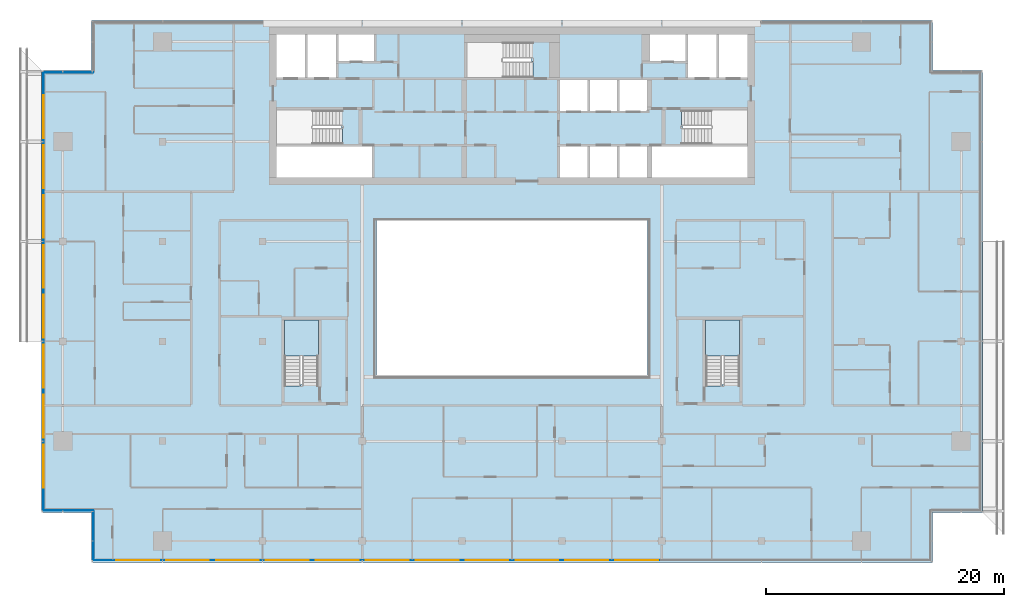
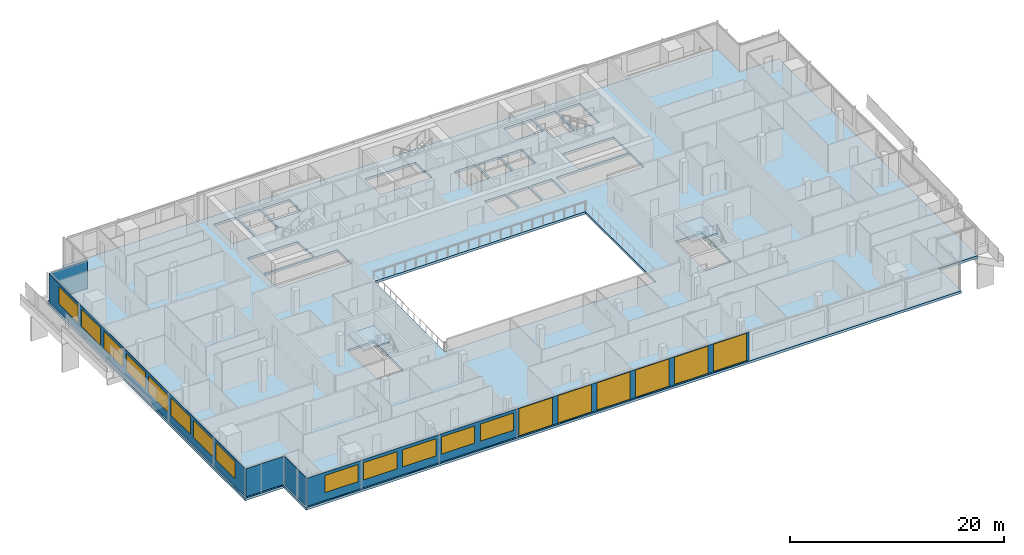
# One storey, part 14 of 28: 19 windows, 6 plates, 3 slabs, 19 openings, 7 elements without a shape of their own.
"""IFC4 building model written with IfcOpenShell, lengths in metres."""

from ifc_helpers import new_model, si_unit, direction, frame, frame_2d, origin, place, context, subcontext, project, spatial, polyline, rectangle, outline, extrude, material, layer, layer_set, type_object, element, fill, aggregate, save


model = new_model("IFC4")

# Units and contexts
model_context = context("Model", 3, precision=1e-05, world=origin(), true_north=direction((0.0, 1.0)))
body_context = subcontext(model_context, "Body", "Model", "MODEL_VIEW")
ifc_project = project(units=[si_unit("LENGTHUNIT", "METRE"), si_unit("AREAUNIT", "SQUARE_METRE"), si_unit("VOLUMEUNIT", "CUBIC_METRE"), si_unit("PLANEANGLEUNIT", "RADIAN"), si_unit("MASSUNIT", "GRAM", prefix="KILO")], contexts=[model_context])

# Site, building, storey
site_placement = place(None, origin())
site = spatial("IfcSite", under=ifc_project, at=site_placement, CompositionType="ELEMENT")
building_placement = place(site_placement, origin())
building = spatial("IfcBuilding", under=site, at=building_placement, Name="Saffron Gate Tower", CompositionType="ELEMENT")
storey_placement = place(building_placement, frame((0.0, 0.0, 241.5)))
storey = spatial("IfcBuildingStorey", under=building, at=storey_placement, Name="L59", CompositionType="ELEMENT", Elevation=241.5)

# Curtain wall, plates, openings, windows
ifc_material_1 = material(Name="Aluminium, bronze anodised", Category="aluminium")
curtain_wall_type_1 = type_object("IfcCurtainWallType", Name="CWS1 curtain wall front facade", PredefinedType="NOTDEFINED", material=ifc_material_1)
curtain_wall_1_placement = place(storey_placement, origin())
curtain_wall_1 = element("IfcCurtainWall", 1, at=curtain_wall_1_placement, inside=storey, type_object=curtain_wall_type_1, Name="CWS1 run 1", PredefinedType="NOTDEFINED")
ifc_material_2 = material(Name="Clear low-iron laminated glass", Category="glass")
ifc_layer_1 = layer(ifc_material_2, 0.028076171875)
ifc_layer_set_1 = layer_set([ifc_layer_1], Name="CWS1 clear glass")
plate_type_1 = type_object("IfcPlateType", Name="CWS1 clear glass", PredefinedType="CURTAIN_PANEL", material=ifc_layer_set_1)
plate_1_placement = place(storey_placement, frame((75.030029296875, 30.174072265625, 0.0), z_axis=(0.0, 0.0, 1.0), x_axis=(1.0, 0.0, 0.0)))
plate_1 = element("IfcPlate", 2, at=plate_1_placement, type_object=plate_type_1, Name="CWS1 clear glass panel", PredefinedType="CURTAIN_PANEL", context=body_context, shape_type="SweptSolid", body=[
    extrude(rectangle(XDim=25.139892578125, YDim=0.028076171875, at=frame_2d((12.56982421875, 0.0))), origin(), (0.0, 0.0, 1.0), 3.199951171875),
])
opening_1_placement = place(plate_1_placement, frame((0.27001953125, 0.0, 0.050048828125)))
opening_1 = element("IfcOpeningElement", 3, at=opening_1_placement, cuts=plate_1, Name="Opening WA", PredefinedType="OPENING", context=body_context, shape_type="SweptSolid", body=[
    extrude(rectangle(XDim=3.60009765625, YDim=3.10009765625, at=frame_2d((1.800048828125, 1.550048828125))), frame((0.0, 0.02392578125, 0.0), z_axis=(0.0, -1.0, 0.0), x_axis=(1.0, 0.0, 0.0)), (0.0, 0.0, 1.0), 0.048095703125),
])
opening_2_placement = place(plate_1_placement, frame((4.469970703125, 0.0, 0.050048828125)))
opening_2 = element("IfcOpeningElement", 4, at=opening_2_placement, cuts=plate_1, Name="Opening WA", PredefinedType="OPENING", context=body_context, shape_type="SweptSolid", body=[
    extrude(rectangle(XDim=3.60009765625, YDim=3.10009765625, at=frame_2d((1.800048828125, 1.550048828125))), frame((0.0, 0.02392578125, 0.0), z_axis=(0.0, -1.0, 0.0), x_axis=(1.0, 0.0, 0.0)), (0.0, 0.0, 1.0), 0.048095703125),
])
opening_3_placement = place(plate_1_placement, frame((8.669921875, 0.0, 0.050048828125)))
opening_3 = element("IfcOpeningElement", 5, at=opening_3_placement, cuts=plate_1, Name="Opening WA", PredefinedType="OPENING", context=body_context, shape_type="SweptSolid", body=[
    extrude(rectangle(XDim=3.60009765625, YDim=3.10009765625, at=frame_2d((1.800048828125, 1.550048828125))), frame((0.0, 0.02392578125, 0.0), z_axis=(0.0, -1.0, 0.0), x_axis=(1.0, 0.0, 0.0)), (0.0, 0.0, 1.0), 0.048095703125),
])
opening_4_placement = place(plate_1_placement, frame((12.8701171875, 0.0, 0.050048828125)))
opening_4 = element("IfcOpeningElement", 6, at=opening_4_placement, cuts=plate_1, Name="Opening WA", PredefinedType="OPENING", context=body_context, shape_type="SweptSolid", body=[
    extrude(rectangle(XDim=3.60009765625, YDim=3.10009765625, at=frame_2d((1.800048828125, 1.550048828125))), frame((0.0, 0.02392578125, 0.0), z_axis=(0.0, -1.0, 0.0), x_axis=(1.0, 0.0, 0.0)), (0.0, 0.0, 1.0), 0.048095703125),
])
opening_5_placement = place(plate_1_placement, frame((17.070068359375, 0.0, 0.050048828125)))
opening_5 = element("IfcOpeningElement", 7, at=opening_5_placement, cuts=plate_1, Name="Opening WA", PredefinedType="OPENING", context=body_context, shape_type="SweptSolid", body=[
    extrude(rectangle(XDim=3.60009765625, YDim=3.10009765625, at=frame_2d((1.800048828125, 1.550048828125))), frame((0.0, 0.02392578125, 0.0), z_axis=(0.0, -1.0, 0.0), x_axis=(1.0, 0.0, 0.0)), (0.0, 0.0, 1.0), 0.048095703125),
])
opening_6_placement = place(plate_1_placement, frame((21.27001953125, 0.0, 0.050048828125)))
opening_6 = element("IfcOpeningElement", 8, at=opening_6_placement, cuts=plate_1, Name="Opening WA", PredefinedType="OPENING", context=body_context, shape_type="SweptSolid", body=[
    extrude(rectangle(XDim=3.60009765625, YDim=3.10009765625, at=frame_2d((1.800048828125, 1.550048828125))), frame((0.0, 0.02392578125, 0.0), z_axis=(0.0, -1.0, 0.0), x_axis=(1.0, 0.0, 0.0)), (0.0, 0.0, 1.0), 0.048095703125),
])
ifc_material_3 = material(Name="Clear low-iron laminated glass in bronze frame", Category="glass")
ifc_layer_2 = layer(ifc_material_3, 0.06005859375)
ifc_layer_set_2 = layer_set([ifc_layer_2], Name="WA operable atrium unit 3600x3100")
window_type_1 = type_object("IfcWindowType", Name="WA operable atrium unit 3600x3100", PartitioningType="DOUBLE_PANEL_HORIZONTAL", PredefinedType="WINDOW", material=ifc_layer_set_2)
window_1_placement = place(opening_1_placement, origin())
window_1 = element("IfcWindow", 9, at=window_1_placement, type_object=window_type_1, Name="WA operable atrium unit", OverallHeight=3.10009765625, OverallWidth=3.60009765625, PartitioningType="SINGLE_PANEL", PredefinedType="WINDOW", context=body_context, shape_type="SweptSolid", body=[
    extrude(rectangle(XDim=3.60009765625, YDim=3.10009765625, at=frame_2d((1.800048828125, 1.550048828125))), frame((0.0, 0.013671875, 0.0), z_axis=(0.0, -1.0, 0.0), x_axis=(1.0, 0.0, 0.0)), (0.0, 0.0, 1.0), 0.027587890625),
])
fill(opening_1, window_1)
window_2_placement = place(opening_2_placement, origin())
window_2 = element("IfcWindow", 10, at=window_2_placement, type_object=window_type_1, Name="WA operable atrium unit", OverallHeight=3.10009765625, OverallWidth=3.60009765625, PartitioningType="SINGLE_PANEL", PredefinedType="WINDOW", context=body_context, shape_type="SweptSolid", body=[
    extrude(rectangle(XDim=3.60009765625, YDim=3.10009765625, at=frame_2d((1.800048828125, 1.550048828125))), frame((0.0, 0.013671875, 0.0), z_axis=(0.0, -1.0, 0.0), x_axis=(1.0, 0.0, 0.0)), (0.0, 0.0, 1.0), 0.027587890625),
])
fill(opening_2, window_2)
window_3_placement = place(opening_3_placement, origin())
window_3 = element("IfcWindow", 11, at=window_3_placement, type_object=window_type_1, Name="WA operable atrium unit", OverallHeight=3.10009765625, OverallWidth=3.60009765625, PartitioningType="SINGLE_PANEL", PredefinedType="WINDOW", context=body_context, shape_type="SweptSolid", body=[
    extrude(rectangle(XDim=3.60009765625, YDim=3.10009765625, at=frame_2d((1.800048828125, 1.550048828125))), frame((0.0, 0.013671875, 0.0), z_axis=(0.0, -1.0, 0.0), x_axis=(1.0, 0.0, 0.0)), (0.0, 0.0, 1.0), 0.027587890625),
])
fill(opening_3, window_3)
window_4_placement = place(opening_4_placement, origin())
window_4 = element("IfcWindow", 12, at=window_4_placement, type_object=window_type_1, Name="WA operable atrium unit", OverallHeight=3.10009765625, OverallWidth=3.60009765625, PartitioningType="SINGLE_PANEL", PredefinedType="WINDOW", context=body_context, shape_type="SweptSolid", body=[
    extrude(rectangle(XDim=3.60009765625, YDim=3.10009765625, at=frame_2d((1.800048828125, 1.550048828125))), frame((0.0, 0.013671875, 0.0), z_axis=(0.0, -1.0, 0.0), x_axis=(1.0, 0.0, 0.0)), (0.0, 0.0, 1.0), 0.027587890625),
])
fill(opening_4, window_4)
window_5_placement = place(opening_5_placement, origin())
window_5 = element("IfcWindow", 13, at=window_5_placement, type_object=window_type_1, Name="WA operable atrium unit", OverallHeight=3.10009765625, OverallWidth=3.60009765625, PartitioningType="SINGLE_PANEL", PredefinedType="WINDOW", context=body_context, shape_type="SweptSolid", body=[
    extrude(rectangle(XDim=3.60009765625, YDim=3.10009765625, at=frame_2d((1.800048828125, 1.550048828125))), frame((0.0, 0.013671875, 0.0), z_axis=(0.0, -1.0, 0.0), x_axis=(1.0, 0.0, 0.0)), (0.0, 0.0, 1.0), 0.027587890625),
])
fill(opening_5, window_5)
window_6_placement = place(opening_6_placement, origin())
window_6 = element("IfcWindow", 14, at=window_6_placement, type_object=window_type_1, Name="WA operable atrium unit", OverallHeight=3.10009765625, OverallWidth=3.60009765625, PartitioningType="SINGLE_PANEL", PredefinedType="WINDOW", context=body_context, shape_type="SweptSolid", body=[
    extrude(rectangle(XDim=3.60009765625, YDim=3.10009765625, at=frame_2d((1.800048828125, 1.550048828125))), frame((0.0, 0.013671875, 0.0), z_axis=(0.0, -1.0, 0.0), x_axis=(1.0, 0.0, 0.0)), (0.0, 0.0, 1.0), 0.027587890625),
])
fill(opening_6, window_6)
ifc_material_4 = material(Name="Fritted bronze-tinted laminated glass", Category="glass")
ifc_layer_3 = layer(ifc_material_4, 0.028076171875)
ifc_layer_set_3 = layer_set([ifc_layer_3], Name="CWS1 fixed glass")
plate_type_2 = type_object("IfcPlateType", Name="CWS1 fixed glass", PredefinedType="CURTAIN_PANEL", material=ifc_layer_set_3)
plate_2_placement = place(storey_placement, frame((52.387939453125, 30.174072265625, 0.0), z_axis=(0.0, 0.0, 1.0), x_axis=(1.0, 0.0, 0.0)))
plate_2 = element("IfcPlate", 15, at=plate_2_placement, type_object=plate_type_2, Name="CWS1 glass panel", PredefinedType="CURTAIN_PANEL", context=body_context, shape_type="SweptSolid", body=[
    extrude(rectangle(XDim=22.64208984375, YDim=0.028076171875, at=frame_2d((11.321044921875, 0.0))), origin(), (0.0, 0.0, 1.0), 3.199951171875),
])
opening_7_placement = place(plate_2_placement, frame((1.912109375, 0.0, 0.89990234375)))
opening_7 = element("IfcOpeningElement", 16, at=opening_7_placement, cuts=plate_2, Name="Opening W1", PredefinedType="OPENING", context=body_context, shape_type="SweptSolid", body=[
    extrude(rectangle(XDim=3.60009765625, YDim=1.949951171875, at=frame_2d((1.800048828125, 0.97509765625))), frame((0.0, 0.02392578125, 0.0), z_axis=(0.0, -1.0, 0.0), x_axis=(1.0, 0.0, 0.0)), (0.0, 0.0, 1.0), 0.048095703125),
])
opening_8_placement = place(plate_2_placement, frame((6.112060546875, 0.0, 0.89990234375)))
opening_8 = element("IfcOpeningElement", 17, at=opening_8_placement, cuts=plate_2, Name="Opening W1", PredefinedType="OPENING", context=body_context, shape_type="SweptSolid", body=[
    extrude(rectangle(XDim=3.60009765625, YDim=1.949951171875, at=frame_2d((1.800048828125, 0.97509765625))), frame((0.0, 0.02392578125, 0.0), z_axis=(0.0, -1.0, 0.0), x_axis=(1.0, 0.0, 0.0)), (0.0, 0.0, 1.0), 0.048095703125),
])
opening_9_placement = place(plate_2_placement, frame((10.31201171875, 0.0, 0.89990234375)))
opening_9 = element("IfcOpeningElement", 18, at=opening_9_placement, cuts=plate_2, Name="Opening W1", PredefinedType="OPENING", context=body_context, shape_type="SweptSolid", body=[
    extrude(rectangle(XDim=3.60009765625, YDim=1.949951171875, at=frame_2d((1.800048828125, 0.97509765625))), frame((0.0, 0.02392578125, 0.0), z_axis=(0.0, -1.0, 0.0), x_axis=(1.0, 0.0, 0.0)), (0.0, 0.0, 1.0), 0.048095703125),
])
opening_10_placement = place(plate_2_placement, frame((14.511962890625, 0.0, 0.89990234375)))
opening_10 = element("IfcOpeningElement", 19, at=opening_10_placement, cuts=plate_2, Name="Opening W1", PredefinedType="OPENING", context=body_context, shape_type="SweptSolid", body=[
    extrude(rectangle(XDim=3.60009765625, YDim=1.949951171875, at=frame_2d((1.800048828125, 0.97509765625))), frame((0.0, 0.02392578125, 0.0), z_axis=(0.0, -1.0, 0.0), x_axis=(1.0, 0.0, 0.0)), (0.0, 0.0, 1.0), 0.048095703125),
])
opening_11_placement = place(plate_2_placement, frame((18.7119140625, 0.0, 0.89990234375)))
opening_11 = element("IfcOpeningElement", 20, at=opening_11_placement, cuts=plate_2, Name="Opening W1", PredefinedType="OPENING", context=body_context, shape_type="SweptSolid", body=[
    extrude(rectangle(XDim=3.60009765625, YDim=1.949951171875, at=frame_2d((1.800048828125, 0.97509765625))), frame((0.0, 0.02392578125, 0.0), z_axis=(0.0, -1.0, 0.0), x_axis=(1.0, 0.0, 0.0)), (0.0, 0.0, 1.0), 0.048095703125),
])
ifc_material_5 = material(Name="Fritted bronze-tinted laminated glass in bronze frame", Category="glass")
ifc_layer_4 = layer(ifc_material_5, 0.06005859375)
ifc_layer_set_4 = layer_set([ifc_layer_4], Name="W1 operable panel 3600x1950")
window_type_2 = type_object("IfcWindowType", Name="W1 operable panel 3600x1950", PartitioningType="DOUBLE_PANEL_HORIZONTAL", PredefinedType="WINDOW", material=ifc_layer_set_4)
window_7_placement = place(opening_7_placement, origin())
window_7 = element("IfcWindow", 21, at=window_7_placement, type_object=window_type_2, Name="W1 operable panel", OverallHeight=1.949951171875, OverallWidth=3.60009765625, PartitioningType="SINGLE_PANEL", PredefinedType="WINDOW", context=body_context, shape_type="SweptSolid", body=[
    extrude(rectangle(XDim=3.60009765625, YDim=1.949951171875, at=frame_2d((1.800048828125, 0.97509765625))), frame((0.0, 0.013671875, 0.0), z_axis=(0.0, -1.0, 0.0), x_axis=(1.0, 0.0, 0.0)), (0.0, 0.0, 1.0), 0.027587890625),
])
fill(opening_7, window_7)
window_8_placement = place(opening_8_placement, origin())
window_8 = element("IfcWindow", 22, at=window_8_placement, type_object=window_type_2, Name="W1 operable panel", OverallHeight=1.949951171875, OverallWidth=3.60009765625, PartitioningType="SINGLE_PANEL", PredefinedType="WINDOW", context=body_context, shape_type="SweptSolid", body=[
    extrude(rectangle(XDim=3.60009765625, YDim=1.949951171875, at=frame_2d((1.800048828125, 0.97509765625))), frame((0.0, 0.013671875, 0.0), z_axis=(0.0, -1.0, 0.0), x_axis=(1.0, 0.0, 0.0)), (0.0, 0.0, 1.0), 0.027587890625),
])
fill(opening_8, window_8)
window_9_placement = place(opening_9_placement, origin())
window_9 = element("IfcWindow", 23, at=window_9_placement, type_object=window_type_2, Name="W1 operable panel", OverallHeight=1.949951171875, OverallWidth=3.60009765625, PartitioningType="SINGLE_PANEL", PredefinedType="WINDOW", context=body_context, shape_type="SweptSolid", body=[
    extrude(rectangle(XDim=3.60009765625, YDim=1.949951171875, at=frame_2d((1.800048828125, 0.97509765625))), frame((0.0, 0.013671875, 0.0), z_axis=(0.0, -1.0, 0.0), x_axis=(1.0, 0.0, 0.0)), (0.0, 0.0, 1.0), 0.027587890625),
])
fill(opening_9, window_9)
window_10_placement = place(opening_10_placement, origin())
window_10 = element("IfcWindow", 24, at=window_10_placement, type_object=window_type_2, Name="W1 operable panel", OverallHeight=1.949951171875, OverallWidth=3.60009765625, PartitioningType="SINGLE_PANEL", PredefinedType="WINDOW", context=body_context, shape_type="SweptSolid", body=[
    extrude(rectangle(XDim=3.60009765625, YDim=1.949951171875, at=frame_2d((1.800048828125, 0.97509765625))), frame((0.0, 0.013671875, 0.0), z_axis=(0.0, -1.0, 0.0), x_axis=(1.0, 0.0, 0.0)), (0.0, 0.0, 1.0), 0.027587890625),
])
fill(opening_10, window_10)
window_11_placement = place(opening_11_placement, origin())
window_11 = element("IfcWindow", 25, at=window_11_placement, type_object=window_type_2, Name="W1 operable panel", OverallHeight=1.949951171875, OverallWidth=3.60009765625, PartitioningType="SINGLE_PANEL", PredefinedType="WINDOW", context=body_context, shape_type="SweptSolid", body=[
    extrude(rectangle(XDim=3.60009765625, YDim=1.949951171875, at=frame_2d((1.800048828125, 0.97509765625))), frame((0.0, 0.013671875, 0.0), z_axis=(0.0, -1.0, 0.0), x_axis=(1.0, 0.0, 0.0)), (0.0, 0.0, 1.0), 0.027587890625),
])
fill(opening_11, window_11)
aggregate(curtain_wall_1, [plate_2, plate_1, window_7, window_8, window_9, window_10, window_11, window_1, window_2, window_3, window_4, window_5, window_6])

# Curtain wall, plate, openings, windows
curtain_wall_type_2 = type_object("IfcCurtainWallType", Name="CWS2 curtain wall side facades", PredefinedType="NOTDEFINED", material=ifc_material_1)
curtain_wall_2_placement = place(storey_placement, origin())
curtain_wall_2 = element("IfcCurtainWall", 26, at=curtain_wall_2_placement, inside=storey, type_object=curtain_wall_type_2, Name="CWS2 run 10", PredefinedType="NOTDEFINED")
ifc_layer_5 = layer(ifc_material_4, 0.028076171875)
ifc_layer_set_5 = layer_set([ifc_layer_5], Name="CWS2 fixed glass")
plate_type_3 = type_object("IfcPlateType", Name="CWS2 fixed glass", PredefinedType="CURTAIN_PANEL", material=ifc_layer_set_5)
plate_3_placement = place(storey_placement, frame((48.174072265625, 71.2119140625, 0.0), z_axis=(0.0, 0.0, 1.0), x_axis=(0.0, -1.0, 0.0)))
plate_3 = element("IfcPlate", 27, at=plate_3_placement, type_object=plate_type_3, Name="CWS2 glass panel", PredefinedType="CURTAIN_PANEL", context=body_context, shape_type="SweptSolid", body=[
    extrude(rectangle(XDim=36.823974609375, YDim=0.028076171875, at=frame_2d((18.412109375, 0.0))), origin(), (0.0, 0.0, 1.0), 3.199951171875),
])
opening_12_placement = place(plate_3_placement, frame((1.912109375, 0.0, 0.89990234375)))
opening_12 = element("IfcOpeningElement", 28, at=opening_12_placement, cuts=plate_3, Name="Opening W1", PredefinedType="OPENING", context=body_context, shape_type="SweptSolid", body=[
    extrude(rectangle(XDim=3.60009765625, YDim=1.949951171875, at=frame_2d((1.800048828125, 0.97509765625))), frame((0.0, 0.02392578125, 0.0), z_axis=(0.0, -1.0, 0.0), x_axis=(1.0, 0.0, 0.0)), (0.0, 0.0, 1.0), 0.048095703125),
])
opening_13_placement = place(plate_3_placement, frame((6.112060546875, 0.0, 0.89990234375)))
opening_13 = element("IfcOpeningElement", 29, at=opening_13_placement, cuts=plate_3, Name="Opening W1", PredefinedType="OPENING", context=body_context, shape_type="SweptSolid", body=[
    extrude(rectangle(XDim=3.60009765625, YDim=1.949951171875, at=frame_2d((1.800048828125, 0.97509765625))), frame((0.0, 0.02392578125, 0.0), z_axis=(0.0, -1.0, 0.0), x_axis=(1.0, 0.0, 0.0)), (0.0, 0.0, 1.0), 0.048095703125),
])
opening_14_placement = place(plate_3_placement, frame((10.31201171875, 0.0, 0.89990234375)))
opening_14 = element("IfcOpeningElement", 30, at=opening_14_placement, cuts=plate_3, Name="Opening W1", PredefinedType="OPENING", context=body_context, shape_type="SweptSolid", body=[
    extrude(rectangle(XDim=3.60009765625, YDim=1.949951171875, at=frame_2d((1.800048828125, 0.97509765625))), frame((0.0, 0.02392578125, 0.0), z_axis=(0.0, -1.0, 0.0), x_axis=(1.0, 0.0, 0.0)), (0.0, 0.0, 1.0), 0.048095703125),
])
opening_15_placement = place(plate_3_placement, frame((14.511962890625, 0.0, 0.89990234375)))
opening_15 = element("IfcOpeningElement", 31, at=opening_15_placement, cuts=plate_3, Name="Opening W1", PredefinedType="OPENING", context=body_context, shape_type="SweptSolid", body=[
    extrude(rectangle(XDim=3.60009765625, YDim=1.949951171875, at=frame_2d((1.800048828125, 0.97509765625))), frame((0.0, 0.02392578125, 0.0), z_axis=(0.0, -1.0, 0.0), x_axis=(1.0, 0.0, 0.0)), (0.0, 0.0, 1.0), 0.048095703125),
])
opening_16_placement = place(plate_3_placement, frame((18.7119140625, 0.0, 0.89990234375)))
opening_16 = element("IfcOpeningElement", 32, at=opening_16_placement, cuts=plate_3, Name="Opening W1", PredefinedType="OPENING", context=body_context, shape_type="SweptSolid", body=[
    extrude(rectangle(XDim=3.60009765625, YDim=1.949951171875, at=frame_2d((1.800048828125, 0.97509765625))), frame((0.0, 0.02392578125, 0.0), z_axis=(0.0, -1.0, 0.0), x_axis=(1.0, 0.0, 0.0)), (0.0, 0.0, 1.0), 0.048095703125),
])
opening_17_placement = place(plate_3_placement, frame((22.912109375, 0.0, 0.89990234375)))
opening_17 = element("IfcOpeningElement", 33, at=opening_17_placement, cuts=plate_3, Name="Opening W1", PredefinedType="OPENING", context=body_context, shape_type="SweptSolid", body=[
    extrude(rectangle(XDim=3.60009765625, YDim=1.949951171875, at=frame_2d((1.800048828125, 0.97509765625))), frame((0.0, 0.02392578125, 0.0), z_axis=(0.0, -1.0, 0.0), x_axis=(1.0, 0.0, 0.0)), (0.0, 0.0, 1.0), 0.048095703125),
])
opening_18_placement = place(plate_3_placement, frame((27.112060546875, 0.0, 0.89990234375)))
opening_18 = element("IfcOpeningElement", 34, at=opening_18_placement, cuts=plate_3, Name="Opening W1", PredefinedType="OPENING", context=body_context, shape_type="SweptSolid", body=[
    extrude(rectangle(XDim=3.60009765625, YDim=1.949951171875, at=frame_2d((1.800048828125, 0.97509765625))), frame((0.0, 0.02392578125, 0.0), z_axis=(0.0, -1.0, 0.0), x_axis=(1.0, 0.0, 0.0)), (0.0, 0.0, 1.0), 0.048095703125),
])
opening_19_placement = place(plate_3_placement, frame((31.31201171875, 0.0, 0.89990234375)))
opening_19 = element("IfcOpeningElement", 35, at=opening_19_placement, cuts=plate_3, Name="Opening W1", PredefinedType="OPENING", context=body_context, shape_type="SweptSolid", body=[
    extrude(rectangle(XDim=3.60009765625, YDim=1.949951171875, at=frame_2d((1.800048828125, 0.97509765625))), frame((0.0, 0.02392578125, 0.0), z_axis=(0.0, -1.0, 0.0), x_axis=(1.0, 0.0, 0.0)), (0.0, 0.0, 1.0), 0.048095703125),
])
window_12_placement = place(opening_12_placement, origin())
window_12 = element("IfcWindow", 36, at=window_12_placement, type_object=window_type_2, Name="W1 operable panel", OverallHeight=1.949951171875, OverallWidth=3.60009765625, PartitioningType="SINGLE_PANEL", PredefinedType="WINDOW", context=body_context, shape_type="SweptSolid", body=[
    extrude(rectangle(XDim=3.60009765625, YDim=1.949951171875, at=frame_2d((1.800048828125, 0.97509765625))), frame((0.0, 0.013671875, 0.0), z_axis=(0.0, -1.0, 0.0), x_axis=(1.0, 0.0, 0.0)), (0.0, 0.0, 1.0), 0.027587890625),
])
fill(opening_12, window_12)
window_13_placement = place(opening_13_placement, origin())
window_13 = element("IfcWindow", 37, at=window_13_placement, type_object=window_type_2, Name="W1 operable panel", OverallHeight=1.949951171875, OverallWidth=3.60009765625, PartitioningType="SINGLE_PANEL", PredefinedType="WINDOW", context=body_context, shape_type="SweptSolid", body=[
    extrude(rectangle(XDim=3.60009765625, YDim=1.949951171875, at=frame_2d((1.800048828125, 0.97509765625))), frame((0.0, 0.013671875, 0.0), z_axis=(0.0, -1.0, 0.0), x_axis=(1.0, 0.0, 0.0)), (0.0, 0.0, 1.0), 0.027587890625),
])
fill(opening_13, window_13)
window_14_placement = place(opening_14_placement, origin())
window_14 = element("IfcWindow", 38, at=window_14_placement, type_object=window_type_2, Name="W1 operable panel", OverallHeight=1.949951171875, OverallWidth=3.60009765625, PartitioningType="SINGLE_PANEL", PredefinedType="WINDOW", context=body_context, shape_type="SweptSolid", body=[
    extrude(rectangle(XDim=3.60009765625, YDim=1.949951171875, at=frame_2d((1.800048828125, 0.97509765625))), frame((0.0, 0.013671875, 0.0), z_axis=(0.0, -1.0, 0.0), x_axis=(1.0, 0.0, 0.0)), (0.0, 0.0, 1.0), 0.027587890625),
])
fill(opening_14, window_14)
window_15_placement = place(opening_15_placement, origin())
window_15 = element("IfcWindow", 39, at=window_15_placement, type_object=window_type_2, Name="W1 operable panel", OverallHeight=1.949951171875, OverallWidth=3.60009765625, PartitioningType="SINGLE_PANEL", PredefinedType="WINDOW", context=body_context, shape_type="SweptSolid", body=[
    extrude(rectangle(XDim=3.60009765625, YDim=1.949951171875, at=frame_2d((1.800048828125, 0.97509765625))), frame((0.0, 0.013671875, 0.0), z_axis=(0.0, -1.0, 0.0), x_axis=(1.0, 0.0, 0.0)), (0.0, 0.0, 1.0), 0.027587890625),
])
fill(opening_15, window_15)
window_16_placement = place(opening_16_placement, origin())
window_16 = element("IfcWindow", 40, at=window_16_placement, type_object=window_type_2, Name="W1 operable panel", OverallHeight=1.949951171875, OverallWidth=3.60009765625, PartitioningType="SINGLE_PANEL", PredefinedType="WINDOW", context=body_context, shape_type="SweptSolid", body=[
    extrude(rectangle(XDim=3.60009765625, YDim=1.949951171875, at=frame_2d((1.800048828125, 0.97509765625))), frame((0.0, 0.013671875, 0.0), z_axis=(0.0, -1.0, 0.0), x_axis=(1.0, 0.0, 0.0)), (0.0, 0.0, 1.0), 0.027587890625),
])
fill(opening_16, window_16)
window_17_placement = place(opening_17_placement, origin())
window_17 = element("IfcWindow", 41, at=window_17_placement, type_object=window_type_2, Name="W1 operable panel", OverallHeight=1.949951171875, OverallWidth=3.60009765625, PartitioningType="SINGLE_PANEL", PredefinedType="WINDOW", context=body_context, shape_type="SweptSolid", body=[
    extrude(rectangle(XDim=3.60009765625, YDim=1.949951171875, at=frame_2d((1.800048828125, 0.97509765625))), frame((0.0, 0.013671875, 0.0), z_axis=(0.0, -1.0, 0.0), x_axis=(1.0, 0.0, 0.0)), (0.0, 0.0, 1.0), 0.027587890625),
])
fill(opening_17, window_17)
window_18_placement = place(opening_18_placement, origin())
window_18 = element("IfcWindow", 42, at=window_18_placement, type_object=window_type_2, Name="W1 operable panel", OverallHeight=1.949951171875, OverallWidth=3.60009765625, PartitioningType="SINGLE_PANEL", PredefinedType="WINDOW", context=body_context, shape_type="SweptSolid", body=[
    extrude(rectangle(XDim=3.60009765625, YDim=1.949951171875, at=frame_2d((1.800048828125, 0.97509765625))), frame((0.0, 0.013671875, 0.0), z_axis=(0.0, -1.0, 0.0), x_axis=(1.0, 0.0, 0.0)), (0.0, 0.0, 1.0), 0.027587890625),
])
fill(opening_18, window_18)
window_19_placement = place(opening_19_placement, origin())
window_19 = element("IfcWindow", 43, at=window_19_placement, type_object=window_type_2, Name="W1 operable panel", OverallHeight=1.949951171875, OverallWidth=3.60009765625, PartitioningType="SINGLE_PANEL", PredefinedType="WINDOW", context=body_context, shape_type="SweptSolid", body=[
    extrude(rectangle(XDim=3.60009765625, YDim=1.949951171875, at=frame_2d((1.800048828125, 0.97509765625))), frame((0.0, 0.013671875, 0.0), z_axis=(0.0, -1.0, 0.0), x_axis=(1.0, 0.0, 0.0)), (0.0, 0.0, 1.0), 0.027587890625),
])
fill(opening_19, window_19)
aggregate(curtain_wall_2, [plate_3, window_12, window_13, window_14, window_15, window_16, window_17, window_18, window_19])

# Curtain wall, plate
curtain_wall_type_3 = type_object("IfcCurtainWallType", Name="CWS4 curtain wall corner returns", PredefinedType="NOTDEFINED", material=ifc_material_1)
curtain_wall_3_placement = place(storey_placement, origin())
curtain_wall_3 = element("IfcCurtainWall", 44, at=curtain_wall_3_placement, inside=storey, type_object=curtain_wall_type_3, Name="CWS4 run 9", PredefinedType="NOTDEFINED")
ifc_layer_6 = layer(ifc_material_4, 0.028076171875)
ifc_layer_set_6 = layer_set([ifc_layer_6], Name="CWS4 fixed glass")
plate_type_4 = type_object("IfcPlateType", Name="CWS4 fixed glass", PredefinedType="CURTAIN_PANEL", material=ifc_layer_set_6)
plate_4_placement = place(storey_placement, frame((52.360107421875, 71.22607421875, 0.0), z_axis=(0.0, 0.0, 1.0), x_axis=(-1.0, 0.0, 0.0)))
plate_4 = element("IfcPlate", 45, at=plate_4_placement, type_object=plate_type_4, Name="CWS4 glass panel", PredefinedType="CURTAIN_PANEL", context=body_context, shape_type="SweptSolid", body=[
    extrude(rectangle(XDim=4.172119140625, YDim=0.028076171875, at=frame_2d((2.0859375, 0.0))), origin(), (0.0, 0.0, 1.0), 3.199951171875),
])
aggregate(curtain_wall_3, [plate_4])

curtain_wall_4_placement = place(storey_placement, origin())
curtain_wall_4 = element("IfcCurtainWall", 46, at=curtain_wall_4_placement, inside=storey, type_object=curtain_wall_type_3, Name="CWS4 run 11", PredefinedType="NOTDEFINED")
plate_5_placement = place(storey_placement, frame((48.18798828125, 34.3740234375, 0.0), z_axis=(0.0, 0.0, 1.0), x_axis=(1.0, 0.0, 0.0)))
plate_5 = element("IfcPlate", 47, at=plate_5_placement, type_object=plate_type_4, Name="CWS4 glass panel", PredefinedType="CURTAIN_PANEL", context=body_context, shape_type="SweptSolid", body=[
    extrude(rectangle(XDim=4.172119140625, YDim=0.028076171875, at=frame_2d((2.0859375, 0.0))), origin(), (0.0, 0.0, 1.0), 3.199951171875),
])
aggregate(curtain_wall_4, [plate_5])

curtain_wall_5_placement = place(storey_placement, origin())
curtain_wall_5 = element("IfcCurtainWall", 48, at=curtain_wall_5_placement, inside=storey, type_object=curtain_wall_type_3, Name="CWS4 run 12", PredefinedType="NOTDEFINED")
plate_6_placement = place(storey_placement, frame((52.3740234375, 34.360107421875, 0.0), z_axis=(0.0, 0.0, 1.0), x_axis=(0.0, -1.0, 0.0)))
plate_6 = element("IfcPlate", 49, at=plate_6_placement, type_object=plate_type_4, Name="CWS4 glass panel", PredefinedType="CURTAIN_PANEL", context=body_context, shape_type="SweptSolid", body=[
    extrude(rectangle(XDim=4.172119140625, YDim=0.028076171875, at=frame_2d((2.0859375, 0.0))), origin(), (0.0, 0.0, 1.0), 3.199951171875),
])
aggregate(curtain_wall_5, [plate_6])

# Slab
ifc_material_6 = material(Name="Concrete C40", Category="concrete")
ifc_layer_7 = layer(ifc_material_6, 0.280029296875)
ifc_layer_set_7 = layer_set([ifc_layer_7], Name="S2 FLOOR SLAB 280 CONCRETE C40")
slab_type_1 = type_object("IfcSlabType", Name="S2 FLOOR SLAB 280 CONCRETE C40", PredefinedType="FLOOR", material=ifc_layer_set_7)
slab_1_placement = place(storey_placement, frame((0.0, 0.0, -0.280029296875)))
element("IfcSlab", 50, at=slab_1_placement, inside=storey, type_object=slab_type_1, Name="S2 FLOOR SLAB", PredefinedType="FLOOR", context=body_context, shape_type="SweptSolid", body=[
    extrude(outline(polyline([(48.0, 34.199951171875), (52.199951171875, 34.199951171875), (52.199951171875, 30.0), (123.0, 30.0), (123.0, 34.199951171875), (127.199951171875, 34.199951171875), (127.199951171875, 71.39990234375), (123.0, 71.39990234375), (123.0, 75.60009765625), (52.199951171875, 75.60009765625), (52.199951171875, 71.39990234375), (48.0, 71.39990234375), (48.0, 34.199951171875)]), holes=[polyline([(67.800048828125, 62.39990234375), (67.800048828125, 65.0), (75.800048828125, 65.0), (75.800048828125, 62.39990234375), (67.800048828125, 62.39990234375)]), polyline([(67.800048828125, 65.199951171875), (67.800048828125, 68.050048828125), (73.25, 68.050048828125), (73.25, 66.550048828125), (73.34912109375, 66.550048828125), (73.34912109375, 65.199951171875), (67.800048828125, 65.199951171875)]), polyline([(67.800048828125, 70.800048828125), (67.800048828125, 74.39990234375), (70.199951171875, 74.39990234375), (70.199951171875, 70.800048828125), (67.800048828125, 70.800048828125)]), polyline([(68.449951171875, 44.85107421875), (68.449951171875, 50.39990234375), (71.300048828125, 50.39990234375), (71.300048828125, 44.949951171875), (69.800048828125, 44.949951171875), (69.800048828125, 44.85107421875), (68.449951171875, 44.85107421875)]), polyline([(70.39990234375, 70.800048828125), (70.39990234375, 74.39990234375), (72.800048828125, 74.39990234375), (72.800048828125, 70.800048828125), (70.39990234375, 70.800048828125)]), polyline([(73.0, 72.199951171875), (73.0, 74.39990234375), (76.0, 74.39990234375), (76.0, 72.199951171875), (73.0, 72.199951171875)]), polyline([(76.199951171875, 45.60009765625), (76.199951171875, 58.800048828125), (99.0, 58.800048828125), (99.0, 45.60009765625), (76.199951171875, 45.60009765625)]), polyline([(83.800048828125, 70.800048828125), (83.800048828125, 73.75), (89.25, 73.75), (89.25, 72.14990234375), (89.34912109375, 72.14990234375), (89.34912109375, 70.800048828125), (83.800048828125, 70.800048828125)]), polyline([(91.64990234375, 62.39990234375), (91.64990234375, 65.0), (93.949951171875, 65.0), (93.949951171875, 62.39990234375), (91.64990234375, 62.39990234375)]), polyline([(91.64990234375, 68.0), (91.64990234375, 70.60009765625), (93.949951171875, 70.60009765625), (93.949951171875, 68.0), (91.64990234375, 68.0)]), polyline([(94.14990234375, 62.39990234375), (94.14990234375, 65.0), (96.449951171875, 65.0), (96.449951171875, 62.39990234375), (94.14990234375, 62.39990234375)]), polyline([(94.14990234375, 68.0), (94.14990234375, 70.60009765625), (96.449951171875, 70.60009765625), (96.449951171875, 68.0), (94.14990234375, 68.0)]), polyline([(96.64990234375, 62.39990234375), (96.64990234375, 65.0), (98.949951171875, 65.0), (98.949951171875, 62.39990234375), (96.64990234375, 62.39990234375)]), polyline([(96.64990234375, 68.0), (96.64990234375, 70.60009765625), (98.949951171875, 70.60009765625), (98.949951171875, 68.0), (96.64990234375, 68.0)]), polyline([(99.199951171875, 72.199951171875), (99.199951171875, 74.39990234375), (102.199951171875, 74.39990234375), (102.199951171875, 72.199951171875), (99.199951171875, 72.199951171875)]), polyline([(99.39990234375, 62.39990234375), (99.39990234375, 65.0), (107.39990234375, 65.0), (107.39990234375, 62.39990234375), (99.39990234375, 62.39990234375)]), polyline([(101.85107421875, 66.699951171875), (101.85107421875, 68.050048828125), (107.39990234375, 68.050048828125), (107.39990234375, 65.199951171875), (101.949951171875, 65.199951171875), (101.949951171875, 66.699951171875), (101.85107421875, 66.699951171875)]), polyline([(102.39990234375, 70.800048828125), (102.39990234375, 74.39990234375), (104.800048828125, 74.39990234375), (104.800048828125, 70.800048828125), (102.39990234375, 70.800048828125)]), polyline([(103.89990234375, 44.85107421875), (103.89990234375, 50.39990234375), (106.75, 50.39990234375), (106.75, 44.949951171875), (105.25, 44.949951171875), (105.25, 44.85107421875), (103.89990234375, 44.85107421875)]), polyline([(105.0, 70.800048828125), (105.0, 74.39990234375), (107.39990234375, 74.39990234375), (107.39990234375, 70.800048828125), (105.0, 70.800048828125)])]), origin(), (0.0, 0.0, 1.0), 0.280029296875),
])

# Stair, slab
stair_type = type_object("IfcStairType", Name="ST7 Stair 1350 wide, 20 risers of 180", PredefinedType="HALF_TURN_STAIR", material=ifc_material_6)
stair_1_placement = place(storey_placement, origin())
stair_1 = element("IfcStair", 51, at=stair_1_placement, inside=storey, type_object=stair_type, Name="L59 Exit stair D", PredefinedType="HALF_TURN_STAIR")
ifc_layer_8 = layer(ifc_material_6, 0.199951171875)
ifc_layer_set_8 = layer_set([ifc_layer_8], Name="SL1 Stair landing 200")
slab_type_2 = type_object("IfcSlabType", Name="SL1 Stair landing 200", PredefinedType="LANDING", material=ifc_layer_set_8)
slab_2_placement = place(storey_placement, frame((0.0, 0.0, 1.60009765625)))
slab_2 = element("IfcSlab", 52, at=slab_2_placement, type_object=slab_type_2, Name="ST-D landing 1", PredefinedType="LANDING", context=body_context, shape_type="SweptSolid", body=[
    extrude(outline(polyline([(71.300048828125, 47.3701171875), (71.300048828125, 50.39990234375), (68.449951171875, 50.39990234375), (68.449951171875, 47.3701171875), (71.300048828125, 47.3701171875)])), origin(), (0.0, 0.0, 1.0), 0.199951171875),
])
aggregate(stair_1, [slab_2])

stair_2_placement = place(storey_placement, origin())
stair_2 = element("IfcStair", 53, at=stair_2_placement, inside=storey, type_object=stair_type, Name="L59 Exit stair E", PredefinedType="HALF_TURN_STAIR")
slab_3_placement = place(storey_placement, frame((0.0, 0.0, 1.60009765625)))
slab_3 = element("IfcSlab", 54, at=slab_3_placement, type_object=slab_type_2, Name="ST-E landing 1", PredefinedType="LANDING", context=body_context, shape_type="SweptSolid", body=[
    extrude(outline(polyline([(106.75, 47.3701171875), (106.75, 50.39990234375), (103.89990234375, 50.39990234375), (103.89990234375, 47.3701171875), (106.75, 47.3701171875)])), origin(), (0.0, 0.0, 1.0), 0.199951171875),
])
aggregate(stair_2, [slab_3])

save(model, "model.ifc")
